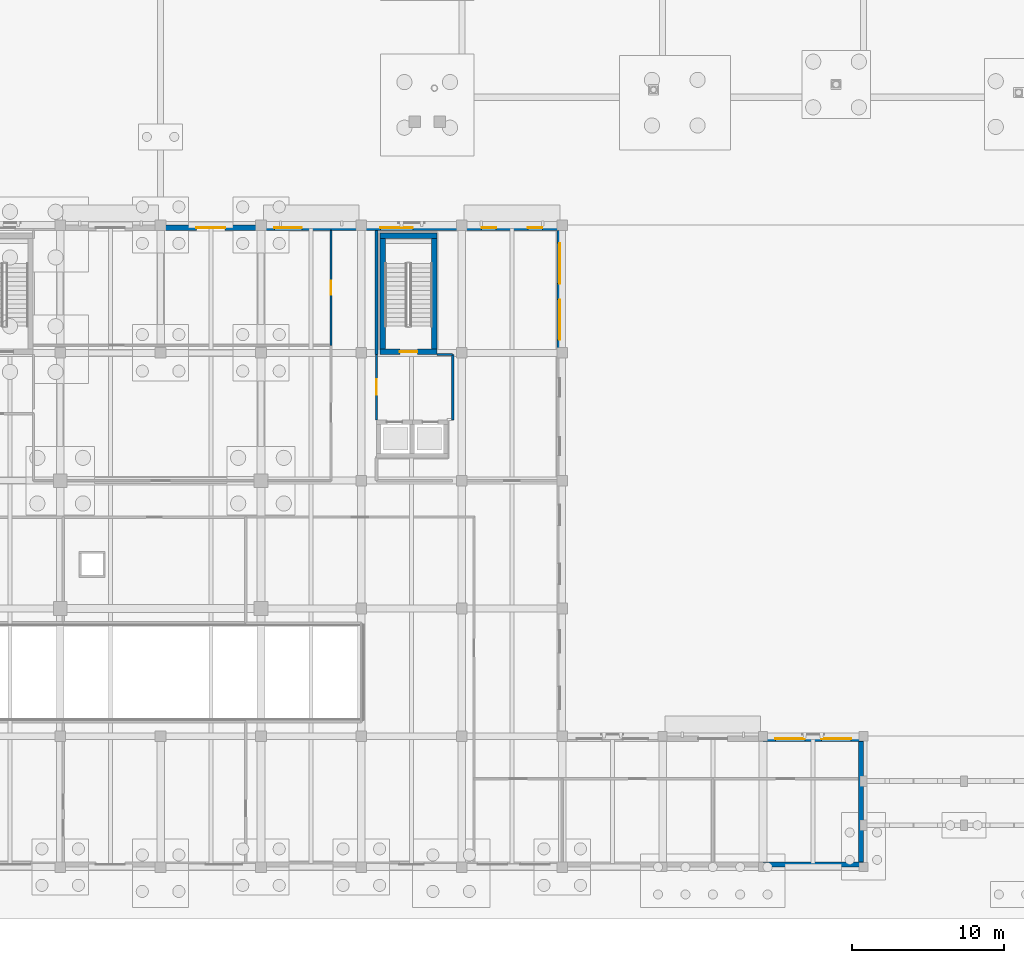
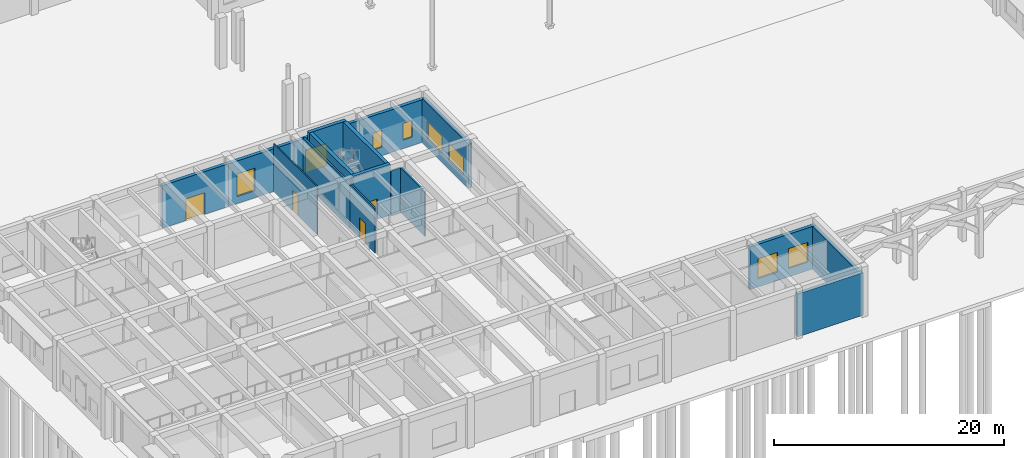
# One storey, part 51 of 82: 17 walls, 8 windows, 4 doors, 12 openings.
"""IFC4 building model written with IfcOpenShell, lengths in metres."""

from ifc_helpers import new_model, si_unit, direction, frame, frame_2d, origin, place, context, subcontext, project, spatial, rectangle, extrude, material, layer, layer_set, type_object, element, fill, save


model = new_model("IFC4")

# Units and contexts
model_context = context("Model", 3, precision=1e-05, world=origin(), true_north=direction((0.0, 1.0)))
body_context = subcontext(model_context, "Body", "Model", "MODEL_VIEW")
ifc_project = project(units=[si_unit("LENGTHUNIT", "METRE"), si_unit("AREAUNIT", "SQUARE_METRE"), si_unit("VOLUMEUNIT", "CUBIC_METRE"), si_unit("PLANEANGLEUNIT", "RADIAN"), si_unit("MASSUNIT", "GRAM", prefix="KILO")], contexts=[model_context])

# Site, building, storey
site_placement = place(None, origin())
site = spatial("IfcSite", under=ifc_project, at=site_placement, CompositionType="ELEMENT")
building_placement = place(site_placement, origin())
building = spatial("IfcBuilding", under=site, at=building_placement, Name="Kolvaren Faculty of Natural Sciences", CompositionType="ELEMENT")
storey_placement = place(building_placement, origin())
storey = spatial("IfcBuildingStorey", under=building, at=storey_placement, Name="L00", CompositionType="ELEMENT", Elevation=0.0)

# Wall, opening, door
ifc_material_1 = material(Name="Concrete C40/50", Category="concrete")
ifc_layer_1 = layer(ifc_material_1, 0.35009765625)
ifc_layer_set_1 = layer_set([ifc_layer_1], Name="Concrete C40/50")
wall_type_1 = type_object("IfcWallType", Name="CoreShearWall_350", PredefinedType="SHEAR", material=ifc_layer_set_1)
wall_1_placement = place(storey_placement, frame((38.175048828125, 33.875, 0.0), z_axis=(0.0, 0.0, 1.0), x_axis=(-1.0, 0.0, 0.0)))
wall_1 = element("IfcWall", 1, at=wall_1_placement, inside=storey, type_object=wall_type_1, Name="L00 CORE-C4 stair shear wall S", PredefinedType="SHEAR", context=body_context, shape_type="SweptSolid", body=[
    extrude(rectangle(XDim=3.75, YDim=0.35009765625, at=frame_2d((1.875, 0.0))), origin(), (0.0, 0.0, 1.0), 5.39990234375),
])
opening_1_placement = place(wall_1_placement, frame((1.300048828125, 0.0, 0.0)))
opening_1 = element("IfcOpeningElement", 2, at=opening_1_placement, cuts=wall_1, Name="Opening FD90", PredefinedType="OPENING", context=body_context, shape_type="SweptSolid", body=[
    extrude(rectangle(XDim=1.14990234375, YDim=2.14990234375, at=frame_2d((0.574951171875, 1.074951171875))), frame((0.0, 0.18505859375, 0.0), z_axis=(0.0, -1.0, 0.0), x_axis=(1.0, 0.0, 0.0)), (0.0, 0.0, 1.0), 0.3701171875),
])
ifc_material_2 = material(Name="Fire-rated solid-core hardwood door leaf in steel frame", Category="steel")
door_type_1 = type_object("IfcDoorType", Name="StairCoreFireDoor_1150x2150", OperationType="NOTDEFINED", PredefinedType="DOOR", material=ifc_material_2)
door_1_placement = place(opening_1_placement, origin())
door_1 = element("IfcDoor", 3, at=door_1_placement, inside=storey, type_object=door_type_1, Name="D-ST-ST-4-L00", OperationType="SINGLE_SWING_RIGHT", OverallHeight=2.14990234375, OverallWidth=1.14990234375, PredefinedType="DOOR", context=body_context, shape_type="SweptSolid", body=[
    extrude(rectangle(XDim=1.14990234375, YDim=2.14990234375, at=frame_2d((0.574951171875, 1.074951171875))), frame((0.0, 0.02490234375, 0.0), z_axis=(0.0, -1.0, 0.0), x_axis=(1.0, 0.0, 0.0)), (0.0, 0.0, 1.0), 0.050048828125),
])
fill(opening_1, door_1)

# Walls
wall_2_placement = place(storey_placement, frame((34.425048828125, 41.5, 0.0), z_axis=(0.0, 0.0, 1.0), x_axis=(1.0, 0.0, 0.0)))
element("IfcWall", 4, at=wall_2_placement, inside=storey, type_object=wall_type_1, Name="L00 CORE-C4 stair shear wall N", PredefinedType="SHEAR", context=body_context, shape_type="SweptSolid", body=[
    extrude(rectangle(XDim=3.75, YDim=0.35009765625, at=frame_2d((1.875, 0.0))), origin(), (0.0, 0.0, 1.0), 5.39990234375),
])
for number, where, z_axis, x_axis, name in (
    (5, (34.60009765625, 34.050048828125, 0.0), (0.0, 0.0, 1.0), (0.0, 1.0, 0.0), "L00 CORE-C4 stair shear wall W"),
    (6, (38.0, 34.050048828125, 0.0), (0.0, 0.0, 1.0), (0.0, 1.0, 0.0), "L00 CORE-C4 stair shear wall E"),
):
    element("IfcWall", number, at=place(storey_placement, frame(where, z_axis=z_axis, x_axis=x_axis)), inside=storey, type_object=wall_type_1, Name=name, PredefinedType="SHEAR", context=body_context, shape_type="SweptSolid", body=[
        extrude(rectangle(XDim=7.27490234375, YDim=0.35009765625, at=frame_2d((3.637451171875, 0.0))), origin(), (0.0, 0.0, 1.0), 5.39990234375),
    ])

# Wall, opening, door
ifc_material_3 = material(Name="Sandstone-faced insulated cavity masonry", Category="masonry")
ifc_layer_2 = layer(ifc_material_3, 0.340087890625)
ifc_layer_set_2 = layer_set([ifc_layer_2], Name="Sandstone-faced insulated cavity masonry")
wall_type_2 = type_object("IfcWallType", Name="ExteriorCavityWall_340", PredefinedType="STANDARD", material=ifc_layer_set_2)
wall_3_placement = place(storey_placement, frame((20.0, 42.030029296875, 0.0), z_axis=(0.0, 0.0, 1.0), x_axis=(1.0, 0.0, 0.0)))
wall_3 = element("IfcWall", 7, at=wall_3_placement, inside=storey, type_object=wall_type_2, Name="L00 exterior masonry wall EW-340 (15)", PredefinedType="STANDARD", context=body_context, shape_type="SweptSolid", body=[
    extrude(rectangle(XDim=6.60009765625, YDim=0.340087890625, at=frame_2d((3.300048828125, 0.0))), origin(), (0.0, 0.0, 1.0), 4.534912109375),
])
opening_2_placement = place(wall_3_placement, frame((2.35009765625, 0.0, 0.0)))
opening_2 = element("IfcOpeningElement", 8, at=opening_2_placement, cuts=wall_3, Name="Opening ED-02", PredefinedType="OPENING", context=body_context, shape_type="SweptSolid", body=[
    extrude(rectangle(XDim=1.89990234375, YDim=2.300048828125, at=frame_2d((0.949951171875, 1.14990234375))), frame((0.0, 0.179931640625, 0.0), z_axis=(0.0, -1.0, 0.0), x_axis=(1.0, 0.0, 0.0)), (0.0, 0.0, 1.0), 0.360107421875),
])
ifc_material_4 = material(Name="Thermally broken anodised aluminium framing", Category="aluminium")
door_type_2 = type_object("IfcDoorType", Name="PlazaExitDoubleDoor_1900x2300", OperationType="DOUBLE_DOOR_SINGLE_SWING", PredefinedType="DOOR", material=ifc_material_4)
door_2_placement = place(opening_2_placement, origin())
door_2 = element("IfcDoor", 9, at=door_2_placement, inside=storey, type_object=door_type_2, Name="D-L00-EX-17", OperationType="DOUBLE_DOOR_SINGLE_SWING", OverallHeight=2.300048828125, OverallWidth=1.89990234375, PredefinedType="DOOR", context=body_context, shape_type="SweptSolid", body=[
    extrude(rectangle(XDim=1.89990234375, YDim=2.300048828125, at=frame_2d((0.949951171875, 1.14990234375))), frame((0.0, 0.02490234375, 0.0), z_axis=(0.0, -1.0, 0.0), x_axis=(1.0, 0.0, 0.0)), (0.0, 0.0, 1.0), 0.050048828125),
])
fill(opening_2, door_2)

# Wall, opening, window
wall_4_placement = place(storey_placement, frame((26.60009765625, 42.030029296875, 0.0), z_axis=(0.0, 0.0, 1.0), x_axis=(1.0, 0.0, 0.0)))
wall_4 = element("IfcWall", 10, at=wall_4_placement, inside=storey, type_object=wall_type_2, Name="L00 exterior masonry wall EW-340 (16)", PredefinedType="STANDARD", context=body_context, shape_type="SweptSolid", body=[
    extrude(rectangle(XDim=6.599853515625, YDim=0.340087890625, at=frame_2d((3.2998046875, 0.0))), origin(), (0.0, 0.0, 1.0), 4.534912109375),
])
opening_3_placement = place(wall_4_placement, frame((0.882080078125, 0.0, 0.75)))
opening_3 = element("IfcOpeningElement", 11, at=opening_3_placement, cuts=wall_4, Name="Opening WIN-21", PredefinedType="OPENING", context=body_context, shape_type="SweptSolid", body=[
    extrude(rectangle(XDim=1.800048828125, YDim=2.39990234375, at=frame_2d((0.89990234375, 1.199951171875))), frame((0.0, 0.179931640625, 0.0), z_axis=(0.0, -1.0, 0.0), x_axis=(1.0, 0.0, 0.0)), (0.0, 0.0, 1.0), 0.360107421875),
])
ifc_material_5 = material(Name="Double low-E solar control insulated glazing", Category="glass")
window_type_1 = type_object("IfcWindowType", Name="AluWindow_WIN21_1800x2400", PartitioningType="SINGLE_PANEL", PredefinedType="WINDOW", material=ifc_material_5)
window_1_placement = place(opening_3_placement, origin())
window_1 = element("IfcWindow", 12, at=window_1_placement, inside=storey, type_object=window_type_1, Name="WIN-L00-0028", OverallHeight=2.39990234375, OverallWidth=1.800048828125, PartitioningType="SINGLE_PANEL", PredefinedType="WINDOW", context=body_context, shape_type="SweptSolid", body=[
    extrude(rectangle(XDim=1.800048828125, YDim=2.39990234375, at=frame_2d((0.89990234375, 1.199951171875))), frame((0.0, 0.030029296875, 0.0), z_axis=(0.0, -1.0, 0.0), x_axis=(1.0, 0.0, 0.0)), (0.0, 0.0, 1.0), 0.06005859375),
])
fill(opening_3, window_1)

wall_5_placement = place(storey_placement, frame((33.199951171875, 42.030029296875, 0.0), z_axis=(0.0, 0.0, 1.0), x_axis=(1.0, 0.0, 0.0)))
wall_5 = element("IfcWall", 13, at=wall_5_placement, inside=storey, type_object=wall_type_2, Name="L00 exterior masonry wall EW-340 (17)", PredefinedType="STANDARD", context=body_context, shape_type="SweptSolid", body=[
    extrude(rectangle(XDim=6.60009765625, YDim=0.340087890625, at=frame_2d((3.300048828125, 0.0))), origin(), (0.0, 0.0, 1.0), 4.534912109375),
])
opening_4_placement = place(wall_5_placement, frame((1.239990234375, 0.0, 0.75)))
opening_4 = element("IfcOpeningElement", 14, at=opening_4_placement, cuts=wall_5, Name="Opening WIN-22", PredefinedType="OPENING", context=body_context, shape_type="SweptSolid", body=[
    extrude(rectangle(XDim=2.14990234375, YDim=2.39990234375, at=frame_2d((1.074951171875, 1.199951171875))), frame((0.0, 0.179931640625, 0.0), z_axis=(0.0, -1.0, 0.0), x_axis=(1.0, 0.0, 0.0)), (0.0, 0.0, 1.0), 0.360107421875),
])
window_type_2 = type_object("IfcWindowType", Name="AluWindow_WIN22_2150x2400", PartitioningType="SINGLE_PANEL", PredefinedType="WINDOW", material=ifc_material_5)
window_2_placement = place(opening_4_placement, origin())
window_2 = element("IfcWindow", 15, at=window_2_placement, inside=storey, type_object=window_type_2, Name="WIN-L00-0029", OverallHeight=2.39990234375, OverallWidth=2.14990234375, PartitioningType="SINGLE_PANEL", PredefinedType="WINDOW", context=body_context, shape_type="SweptSolid", body=[
    extrude(rectangle(XDim=2.14990234375, YDim=2.39990234375, at=frame_2d((1.074951171875, 1.199951171875))), frame((0.0, 0.030029296875, 0.0), z_axis=(0.0, -1.0, 0.0), x_axis=(1.0, 0.0, 0.0)), (0.0, 0.0, 1.0), 0.06005859375),
])
fill(opening_4, window_2)

# Wall, openings, windows
wall_6_placement = place(storey_placement, frame((39.800048828125, 42.030029296875, 0.0), z_axis=(0.0, 0.0, 1.0), x_axis=(1.0, 0.0, 0.0)))
wall_6 = element("IfcWall", 16, at=wall_6_placement, inside=storey, type_object=wall_type_2, Name="L00 exterior masonry wall EW-340 (18)", PredefinedType="STANDARD", context=body_context, shape_type="SweptSolid", body=[
    extrude(rectangle(XDim=6.599853515625, YDim=0.340087890625, at=frame_2d((3.2998046875, 0.0))), origin(), (0.0, 0.0, 1.0), 4.534912109375),
])
opening_5_placement = place(wall_6_placement, frame((1.306884765625, 0.0, 0.89990234375)))
opening_5 = element("IfcOpeningElement", 17, at=opening_5_placement, cuts=wall_6, Name="Opening WIN-23", PredefinedType="OPENING", context=body_context, shape_type="SweptSolid", body=[
    extrude(rectangle(XDim=0.949951171875, YDim=1.800048828125, at=frame_2d((0.47509765625, 0.89990234375))), frame((0.0, 0.179931640625, 0.0), z_axis=(0.0, -1.0, 0.0), x_axis=(1.0, 0.0, 0.0)), (0.0, 0.0, 1.0), 0.360107421875),
])
opening_6_placement = place(wall_6_placement, frame((4.343017578125, 0.0, 0.89990234375)))
opening_6 = element("IfcOpeningElement", 18, at=opening_6_placement, cuts=wall_6, Name="Opening WIN-23", PredefinedType="OPENING", context=body_context, shape_type="SweptSolid", body=[
    extrude(rectangle(XDim=0.949951171875, YDim=1.800048828125, at=frame_2d((0.47509765625, 0.89990234375))), frame((0.0, 0.179931640625, 0.0), z_axis=(0.0, -1.0, 0.0), x_axis=(1.0, 0.0, 0.0)), (0.0, 0.0, 1.0), 0.360107421875),
])
window_type_3 = type_object("IfcWindowType", Name="AluWindow_WIN23_950x1800", PartitioningType="SINGLE_PANEL", PredefinedType="WINDOW", material=ifc_material_5)
window_3_placement = place(opening_5_placement, origin())
window_3 = element("IfcWindow", 19, at=window_3_placement, inside=storey, type_object=window_type_3, Name="WIN-L00-0030", OverallHeight=1.800048828125, OverallWidth=0.949951171875, PartitioningType="SINGLE_PANEL", PredefinedType="WINDOW", context=body_context, shape_type="SweptSolid", body=[
    extrude(rectangle(XDim=0.949951171875, YDim=1.800048828125, at=frame_2d((0.47509765625, 0.89990234375))), frame((0.0, 0.030029296875, 0.0), z_axis=(0.0, -1.0, 0.0), x_axis=(1.0, 0.0, 0.0)), (0.0, 0.0, 1.0), 0.06005859375),
])
fill(opening_5, window_3)
window_4_placement = place(opening_6_placement, origin())
window_4 = element("IfcWindow", 20, at=window_4_placement, inside=storey, type_object=window_type_3, Name="WIN-L00-0031", OverallHeight=1.800048828125, OverallWidth=0.949951171875, PartitioningType="SINGLE_PANEL", PredefinedType="WINDOW", context=body_context, shape_type="SweptSolid", body=[
    extrude(rectangle(XDim=0.949951171875, YDim=1.800048828125, at=frame_2d((0.47509765625, 0.89990234375))), frame((0.0, 0.030029296875, 0.0), z_axis=(0.0, -1.0, 0.0), x_axis=(1.0, 0.0, 0.0)), (0.0, 0.0, 1.0), 0.06005859375),
])
fill(opening_6, window_4)

wall_7_placement = place(storey_placement, frame((46.22998046875, 41.860107421875, 0.0), z_axis=(0.0, 0.0, 1.0), x_axis=(0.0, -1.0, 0.0)))
wall_7 = element("IfcWall", 21, at=wall_7_placement, inside=storey, type_object=wall_type_2, Name="L00 exterior masonry wall EW-340 (19)", PredefinedType="STANDARD", context=body_context, shape_type="SweptSolid", body=[
    extrude(rectangle(XDim=8.06005859375, YDim=0.340087890625, at=frame_2d((4.030029296875, 0.0))), origin(), (0.0, 0.0, 1.0), 4.68505859375),
])
opening_7_placement = place(wall_7_placement, frame((0.851318359375, 0.0, 0.89990234375)))
opening_7 = element("IfcOpeningElement", 22, at=opening_7_placement, cuts=wall_7, Name="Opening WIN-24", PredefinedType="OPENING", context=body_context, shape_type="SweptSolid", body=[
    extrude(rectangle(XDim=2.64990234375, YDim=1.85009765625, at=frame_2d((1.324951171875, 0.925048828125))), frame((0.0, 0.179931640625, 0.0), z_axis=(0.0, -1.0, 0.0), x_axis=(1.0, 0.0, 0.0)), (0.0, 0.0, 1.0), 0.360107421875),
])
opening_8_placement = place(wall_7_placement, frame((4.558837890625, 0.0, 0.89990234375)))
opening_8 = element("IfcOpeningElement", 23, at=opening_8_placement, cuts=wall_7, Name="Opening WIN-24", PredefinedType="OPENING", context=body_context, shape_type="SweptSolid", body=[
    extrude(rectangle(XDim=2.64990234375, YDim=1.85009765625, at=frame_2d((1.324951171875, 0.925048828125))), frame((0.0, 0.179931640625, 0.0), z_axis=(0.0, -1.0, 0.0), x_axis=(1.0, 0.0, 0.0)), (0.0, 0.0, 1.0), 0.360107421875),
])
window_type_4 = type_object("IfcWindowType", Name="AluWindow_WIN24_2650x1850", PartitioningType="SINGLE_PANEL", PredefinedType="WINDOW", material=ifc_material_5)
window_5_placement = place(opening_7_placement, origin())
window_5 = element("IfcWindow", 24, at=window_5_placement, inside=storey, type_object=window_type_4, Name="WIN-L00-0032", OverallHeight=1.85009765625, OverallWidth=2.64990234375, PartitioningType="SINGLE_PANEL", PredefinedType="WINDOW", context=body_context, shape_type="SweptSolid", body=[
    extrude(rectangle(XDim=2.64990234375, YDim=1.85009765625, at=frame_2d((1.324951171875, 0.925048828125))), frame((0.0, 0.030029296875, 0.0), z_axis=(0.0, -1.0, 0.0), x_axis=(1.0, 0.0, 0.0)), (0.0, 0.0, 1.0), 0.06005859375),
])
fill(opening_7, window_5)
window_6_placement = place(opening_8_placement, origin())
window_6 = element("IfcWindow", 25, at=window_6_placement, inside=storey, type_object=window_type_4, Name="WIN-L00-0033", OverallHeight=1.85009765625, OverallWidth=2.64990234375, PartitioningType="SINGLE_PANEL", PredefinedType="WINDOW", context=body_context, shape_type="SweptSolid", body=[
    extrude(rectangle(XDim=2.64990234375, YDim=1.85009765625, at=frame_2d((1.324951171875, 0.925048828125))), frame((0.0, 0.030029296875, 0.0), z_axis=(0.0, -1.0, 0.0), x_axis=(1.0, 0.0, 0.0)), (0.0, 0.0, 1.0), 0.06005859375),
])
fill(opening_8, window_6)

wall_8_placement = place(storey_placement, frame((59.60009765625, 8.429931640625, 0.0), z_axis=(0.0, 0.0, 1.0), x_axis=(1.0, 0.0, 0.0)))
wall_8 = element("IfcWall", 26, at=wall_8_placement, inside=storey, type_object=wall_type_2, Name="L00 exterior masonry wall EW-340 (25)", PredefinedType="STANDARD", context=body_context, shape_type="SweptSolid", body=[
    extrude(rectangle(XDim=6.599853515625, YDim=0.340087890625, at=frame_2d((3.2998046875, 0.0))), origin(), (0.0, 0.0, 1.0), 4.534912109375),
])
opening_9_placement = place(wall_8_placement, frame((0.806884765625, 0.0, 0.89990234375)))
opening_9 = element("IfcOpeningElement", 27, at=opening_9_placement, cuts=wall_8, Name="Opening WIN-06", PredefinedType="OPENING", context=body_context, shape_type="SweptSolid", body=[
    extrude(rectangle(XDim=1.949951171875, YDim=2.10009765625, at=frame_2d((0.97509765625, 1.050048828125))), frame((0.0, 0.179931640625, 0.0), z_axis=(0.0, -1.0, 0.0), x_axis=(1.0, 0.0, 0.0)), (0.0, 0.0, 1.0), 0.360107421875),
])
opening_10_placement = place(wall_8_placement, frame((3.843017578125, 0.0, 0.89990234375)))
opening_10 = element("IfcOpeningElement", 28, at=opening_10_placement, cuts=wall_8, Name="Opening WIN-06", PredefinedType="OPENING", context=body_context, shape_type="SweptSolid", body=[
    extrude(rectangle(XDim=1.949951171875, YDim=2.10009765625, at=frame_2d((0.97509765625, 1.050048828125))), frame((0.0, 0.179931640625, 0.0), z_axis=(0.0, -1.0, 0.0), x_axis=(1.0, 0.0, 0.0)), (0.0, 0.0, 1.0), 0.360107421875),
])
window_type_5 = type_object("IfcWindowType", Name="AluWindow_WIN06_1950x2100", PartitioningType="SINGLE_PANEL", PredefinedType="WINDOW", material=ifc_material_5)
window_7_placement = place(opening_9_placement, origin())
window_7 = element("IfcWindow", 29, at=window_7_placement, inside=storey, type_object=window_type_5, Name="WIN-L00-0042", OverallHeight=2.10009765625, OverallWidth=1.949951171875, PartitioningType="SINGLE_PANEL", PredefinedType="WINDOW", context=body_context, shape_type="SweptSolid", body=[
    extrude(rectangle(XDim=1.949951171875, YDim=2.10009765625, at=frame_2d((0.97509765625, 1.050048828125))), frame((0.0, 0.030029296875, 0.0), z_axis=(0.0, -1.0, 0.0), x_axis=(1.0, 0.0, 0.0)), (0.0, 0.0, 1.0), 0.06005859375),
])
fill(opening_9, window_7)
window_8_placement = place(opening_10_placement, origin())
window_8 = element("IfcWindow", 30, at=window_8_placement, inside=storey, type_object=window_type_5, Name="WIN-L00-0043", OverallHeight=2.10009765625, OverallWidth=1.949951171875, PartitioningType="SINGLE_PANEL", PredefinedType="WINDOW", context=body_context, shape_type="SweptSolid", body=[
    extrude(rectangle(XDim=1.949951171875, YDim=2.10009765625, at=frame_2d((0.97509765625, 1.050048828125))), frame((0.0, 0.030029296875, 0.0), z_axis=(0.0, -1.0, 0.0), x_axis=(1.0, 0.0, 0.0)), (0.0, 0.0, 1.0), 0.06005859375),
])
fill(opening_10, window_8)

# Walls
wall_9_placement = place(storey_placement, frame((66.030029296875, 8.260009765625, 0.0), z_axis=(0.0, 0.0, 1.0), x_axis=(0.0, -1.0, 0.0)))
element("IfcWall", 31, at=wall_9_placement, inside=storey, type_object=wall_type_2, Name="L00 exterior masonry wall EW-340 (26)", PredefinedType="STANDARD", context=body_context, shape_type="SweptSolid", body=[
    extrude(rectangle(XDim=7.919921875, YDim=0.340087890625, at=frame_2d((3.9599609375, 0.0))), origin(), (0.0, 0.0, 1.0), 4.534912109375),
])
wall_10_placement = place(storey_placement, frame((66.199951171875, 0.169921875, 0.0), z_axis=(0.0, 0.0, 1.0), x_axis=(-1.0, 0.0, 0.0)))
element("IfcWall", 32, at=wall_10_placement, inside=storey, type_object=wall_type_2, Name="L00 exterior masonry wall EW-340 (27)", PredefinedType="STANDARD", context=body_context, shape_type="SweptSolid", body=[
    extrude(rectangle(XDim=6.599853515625, YDim=0.340087890625, at=frame_2d((3.2998046875, 0.0))), origin(), (0.0, 0.0, 1.0), 4.534912109375),
])
ifc_material_6 = material(Name="Acoustic mineral-wool insulated gypsum partition")
ifc_layer_3 = layer(ifc_material_6, 0.18505859375)
ifc_layer_set_3 = layer_set([ifc_layer_3], Name="Acoustic mineral-wool insulated gypsum partition")
wall_type_3 = type_object("IfcWallType", Name="LabPartitionWall_185", PredefinedType="PARTITIONING", material=ifc_layer_set_3)
wall_11_placement = place(storey_placement, frame((34.199951171875, 33.699951171875, 0.0), z_axis=(0.0, 0.0, 1.0), x_axis=(0.0, 1.0, 0.0)))
element("IfcWall", 33, at=wall_11_placement, inside=storey, type_object=wall_type_3, Name="L00 interior partition PW-185", PredefinedType="PARTITIONING", context=body_context, shape_type="SweptSolid", body=[
    extrude(rectangle(XDim=8.157958984375, YDim=0.18505859375, at=frame_2d((4.0791015625, 0.0))), origin(), (0.0, 0.0, 1.0), 4.68505859375),
])
ifc_material_7 = material(Name="Double fire-rated gypsum board on 100 mm steel stud", Category="steel")
ifc_layer_4 = layer(ifc_material_7, 0.14990234375)
ifc_layer_set_4 = layer_set([ifc_layer_4], Name="Double fire-rated gypsum board on 100 mm steel stud")
wall_type_4 = type_object("IfcWallType", Name="RatedCorridorWall_150", PredefinedType="PARTITIONING", material=ifc_layer_set_4)
wall_12_placement = place(storey_placement, frame((38.175048828125, 33.699951171875, 0.0), z_axis=(0.0, 0.0, 1.0), x_axis=(1.0, 0.0, 0.0)))
element("IfcWall", 34, at=wall_12_placement, inside=storey, type_object=wall_type_4, Name="L00 interior partition LW-150", PredefinedType="PARTITIONING", context=body_context, shape_type="SweptSolid", body=[
    extrude(rectangle(XDim=1.02490234375, YDim=0.14990234375, at=frame_2d((0.512451171875, 0.0))), origin(), (0.0, 0.0, 1.0), 4.735107421875),
])
wall_13_placement = place(storey_placement, frame((39.199951171875, 33.699951171875, 0.0), z_axis=(0.0, 0.0, 1.0), x_axis=(0.0, -1.0, 0.0)))
element("IfcWall", 35, at=wall_13_placement, inside=storey, type_object=wall_type_4, Name="L00 interior partition LW-150", PredefinedType="PARTITIONING", context=body_context, shape_type="SweptSolid", body=[
    extrude(rectangle(XDim=4.300048828125, YDim=0.14990234375, at=frame_2d((2.14990234375, 0.0))), origin(), (0.0, 0.0, 1.0), 4.735107421875),
])

# Wall, opening, door
wall_14_placement = place(storey_placement, frame((34.199951171875, 29.402099609375, 0.0), z_axis=(0.0, 0.0, 1.0), x_axis=(0.0, 1.0, 0.0)))
wall_14 = element("IfcWall", 36, at=wall_14_placement, inside=storey, type_object=wall_type_4, Name="L00 interior partition LW-150", PredefinedType="PARTITIONING", context=body_context, shape_type="SweptSolid", body=[
    extrude(rectangle(XDim=4.2978515625, YDim=0.14990234375, at=frame_2d((2.14892578125, 0.0))), origin(), (0.0, 0.0, 1.0), 4.735107421875),
])
opening_11_placement = place(wall_14_placement, frame((1.64892578125, 0.0, 0.0)))
opening_11 = element("IfcOpeningElement", 37, at=opening_11_placement, cuts=wall_14, Name="Opening FD30", PredefinedType="OPENING", context=body_context, shape_type="SweptSolid", body=[
    extrude(rectangle(XDim=1.0, YDim=2.10009765625, at=frame_2d((0.5, 1.050048828125))), frame((0.0, 0.0849609375, 0.0), z_axis=(0.0, -1.0, 0.0), x_axis=(1.0, 0.0, 0.0)), (0.0, 0.0, 1.0), 0.169921875),
])
door_type_3 = type_object("IfcDoorType", Name="CorridorFireDoor_1000x2100", OperationType="NOTDEFINED", PredefinedType="DOOR", material=ifc_material_2)
door_3_placement = place(opening_11_placement, origin())
door_3 = element("IfcDoor", 38, at=door_3_placement, inside=storey, type_object=door_type_3, Name="D-L00-0031", OperationType="SINGLE_SWING_RIGHT", OverallHeight=2.10009765625, OverallWidth=1.0, PredefinedType="DOOR", context=body_context, shape_type="SweptSolid", body=[
    extrude(rectangle(XDim=1.0, YDim=2.10009765625, at=frame_2d((0.5, 1.050048828125))), frame((0.0, 0.02490234375, 0.0), z_axis=(0.0, -1.0, 0.0), x_axis=(1.0, 0.0, 0.0)), (0.0, 0.0, 1.0), 0.050048828125),
])
fill(opening_11, door_3)

ifc_layer_5 = layer(ifc_material_6, 0.114990234375)
ifc_layer_set_5 = layer_set([ifc_layer_5], Name="Acoustic mineral-wool insulated gypsum partition")
wall_type_5 = type_object("IfcWallType", Name="StorePartitionWall_115", PredefinedType="PARTITIONING", material=ifc_layer_set_5)
wall_15_placement = place(storey_placement, frame((31.199951171875, 41.85791015625, 0.0), z_axis=(0.0, 0.0, 1.0), x_axis=(0.0, -1.0, 0.0)))
wall_15 = element("IfcWall", 39, at=wall_15_placement, inside=storey, type_object=wall_type_5, Name="L00 interior partition PW-115", PredefinedType="PARTITIONING", context=body_context, shape_type="SweptSolid", body=[
    extrude(rectangle(XDim=7.557861328125, YDim=0.114990234375, at=frame_2d((3.77880859375, 0.0))), origin(), (0.0, 0.0, 1.0), 5.094970703125),
])
opening_12_placement = place(wall_15_placement, frame((3.319091796875, 0.0, 0.0)))
opening_12 = element("IfcOpeningElement", 40, at=opening_12_placement, cuts=wall_15, Name="Opening ID-19", PredefinedType="OPENING", context=body_context, shape_type="SweptSolid", body=[
    extrude(rectangle(XDim=0.919921875, YDim=2.139892578125, at=frame_2d((0.4599609375, 1.06982421875))), frame((0.0, 0.0673828125, 0.0), z_axis=(0.0, -1.0, 0.0), x_axis=(1.0, 0.0, 0.0)), (0.0, 0.0, 1.0), 0.135009765625),
])
ifc_material_8 = material(Name="Solid-core hardwood veneer door leaf in steel frame", Category="steel")
door_type_4 = type_object("IfcDoorType", Name="InteriorRoomDoor_920x2140", OperationType="NOTDEFINED", PredefinedType="DOOR", material=ifc_material_8)
door_4_placement = place(opening_12_placement, origin())
door_4 = element("IfcDoor", 41, at=door_4_placement, inside=storey, type_object=door_type_4, Name="D-L00-0077", OperationType="SINGLE_SWING_LEFT", OverallHeight=2.139892578125, OverallWidth=0.919921875, PredefinedType="DOOR", context=body_context, shape_type="SweptSolid", body=[
    extrude(rectangle(XDim=0.919921875, YDim=2.139892578125, at=frame_2d((0.4599609375, 1.06982421875))), frame((0.0, 0.02490234375, 0.0), z_axis=(0.0, -1.0, 0.0), x_axis=(1.0, 0.0, 0.0)), (0.0, 0.0, 1.0), 0.050048828125),
])
fill(opening_12, door_4)

save(model, "model.ifc")
